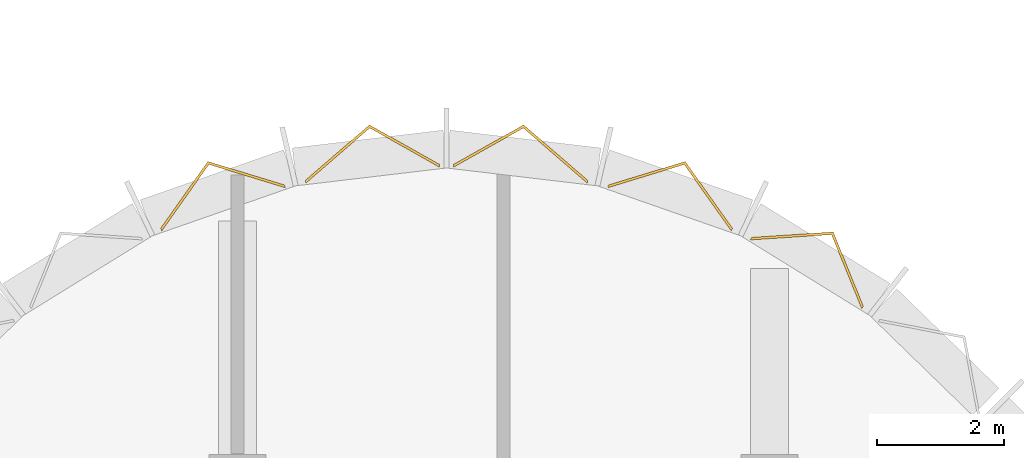
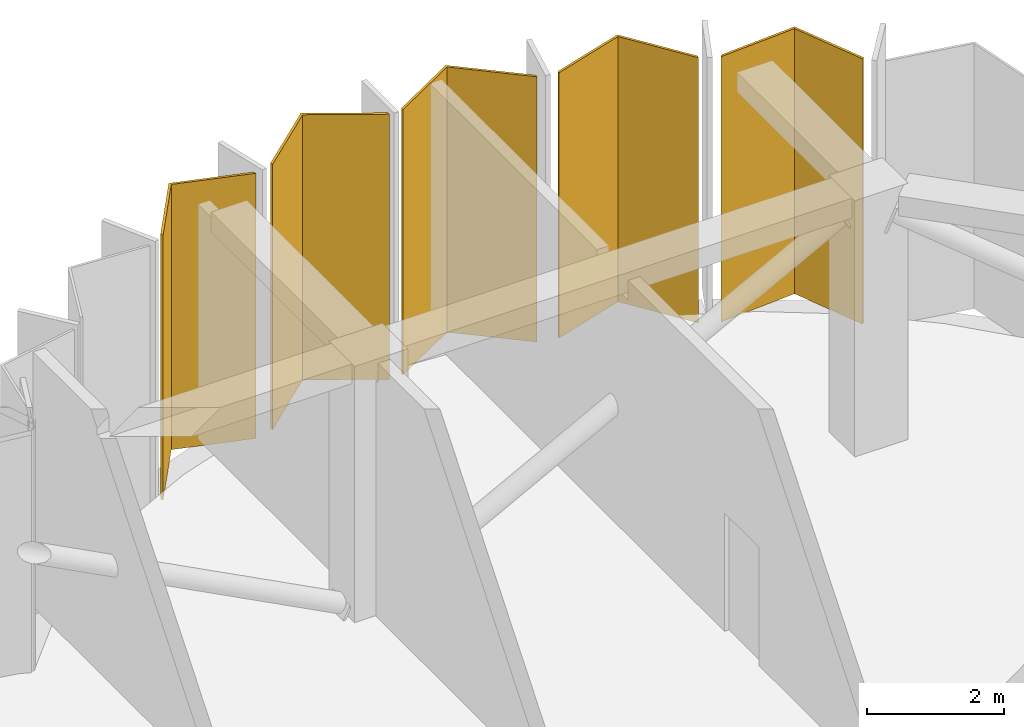
# One storey, part 13 of 13: 5 coverings, 1 element without a shape of its own.
"""IFC4 building model written with IfcOpenShell, lengths in metres."""

from ifc_helpers import new_model, si_unit, direction, frame, origin, place, context, subcontext, project, spatial, polyline, outline, extrude, material, layer, layer_set, type_object, element, aggregate, save


model = new_model("IFC4")

# Units and contexts
model_context = context("Model", 3, precision=1e-05, world=origin(), true_north=direction((0.0, 1.0)))
body_context = subcontext(model_context, "Body", "Model", "MODEL_VIEW")
ifc_project = project(units=[si_unit("LENGTHUNIT", "METRE"), si_unit("AREAUNIT", "SQUARE_METRE"), si_unit("VOLUMEUNIT", "CUBIC_METRE"), si_unit("PLANEANGLEUNIT", "RADIAN"), si_unit("MASSUNIT", "GRAM", prefix="KILO")], contexts=[model_context])

# Site, building, storey
site_placement = place(None, origin())
site = spatial("IfcSite", under=ifc_project, at=site_placement, CompositionType="ELEMENT")
building_placement = place(site_placement, origin())
building = spatial("IfcBuilding", under=site, at=building_placement, Name="Brevane Broadcast Tower", CompositionType="ELEMENT")
storey_placement = place(building_placement, frame((0.0, 0.0, 210.89990234375)))
storey = spatial("IfcBuildingStorey", under=building, at=storey_placement, Name="L53", CompositionType="ELEMENT", Elevation=210.89990234375)

# Curtain wall, coverings
ifc_material_1 = material(Name="Aluminium 6063-T6 bronze anodised", Category="aluminium")
curtain_wall_type = type_object("IfcCurtainWallType", Name="CW-3 curtain wall", PredefinedType="NOTDEFINED", material=ifc_material_1)
curtain_wall_placement = place(storey_placement, origin())
curtain_wall = element("IfcCurtainWall", 1, at=curtain_wall_placement, inside=storey, type_object=curtain_wall_type, Name="CW-3 refuge louvre unit L53 east bow", PredefinedType="NOTDEFINED")
ifc_material_2 = material(Name="Aluminium bronze anodised cladding", Category="aluminium")
ifc_layer = layer(ifc_material_2, 0.050048828125)
ifc_layer_set = layer_set([ifc_layer], Name="CW refuge spandrel 50")
covering_type = type_object("IfcCoveringType", Name="CW refuge spandrel 50", PredefinedType="CLADDING", material=ifc_layer_set)
covering_1_placement = place(storey_placement, frame((0.0, 0.0, -0.159912109375)))
covering_1 = element("IfcCovering", 2, at=covering_1_placement, type_object=covering_type, Name="Refuge cladding panel", PredefinedType="CLADDING", context=body_context, shape_type="SweptSolid", body=[
    extrude(outline(polyline([(43.452880859375, 27.87841796875), (43.481201171875, 27.914794921875), (43.00390625, 29.089111328125), (41.715087890625, 29.004150390625), (41.6953125, 28.962646484375), (42.977783203125, 29.04736328125), (43.452880859375, 27.87841796875)])), origin(), (0.0, 0.0, 1.0), 4.7099609375),
])
covering_2_placement = place(storey_placement, frame((0.0, 0.0, -0.159912109375)))
covering_2 = element("IfcCovering", 3, at=covering_2_placement, type_object=covering_type, Name="Refuge cladding panel", PredefinedType="CLADDING", context=body_context, shape_type="SweptSolid", body=[
    extrude(outline(polyline([(41.39453125, 29.10595703125), (41.414306640625, 29.147216796875), (40.667724609375, 30.20166015625), (39.455322265625, 29.831787109375), (39.445068359375, 29.786865234375), (40.65185546875, 30.155029296875), (41.39453125, 29.10595703125)])), origin(), (0.0, 0.0, 1.0), 4.7099609375),
])
covering_3_placement = place(storey_placement, frame((0.0, 0.0, -0.159912109375)))
covering_3 = element("IfcCovering", 4, at=covering_3_placement, type_object=covering_type, Name="Refuge cladding panel", PredefinedType="CLADDING", context=body_context, shape_type="SweptSolid", body=[
    extrude(outline(polyline([(39.1201171875, 29.860107421875), (39.13037109375, 29.904296875), (38.116943359375, 30.779296875), (37.012939453125, 30.158203125), (37.012939453125, 30.1123046875), (38.112060546875, 30.730712890625), (39.1201171875, 29.860107421875)])), origin(), (0.0, 0.0, 1.0), 4.7099609375),
])
covering_4_placement = place(storey_placement, frame((0.0, 0.0, -0.159912109375)))
covering_4 = element("IfcCovering", 5, at=covering_4_placement, type_object=covering_type, Name="Refuge cladding panel", PredefinedType="CLADDING", context=body_context, shape_type="SweptSolid", body=[
    extrude(outline(polyline([(36.787109375, 30.1123046875), (36.787109375, 30.158203125), (35.68310546875, 30.779296875), (34.669677734375, 29.904296875), (34.679931640625, 29.860107421875), (35.68798828125, 30.730712890625), (36.787109375, 30.1123046875)])), origin(), (0.0, 0.0, 1.0), 4.7099609375),
])
covering_5_placement = place(storey_placement, frame((0.0, 0.0, -0.159912109375)))
covering_5 = element("IfcCovering", 6, at=covering_5_placement, type_object=covering_type, Name="Refuge cladding panel", PredefinedType="CLADDING", context=body_context, shape_type="SweptSolid", body=[
    extrude(outline(polyline([(34.35498046875, 29.786865234375), (34.344482421875, 29.831787109375), (33.132080078125, 30.20166015625), (32.3857421875, 29.147216796875), (32.405517578125, 29.10595703125), (33.148193359375, 30.155029296875), (34.35498046875, 29.786865234375)])), origin(), (0.0, 0.0, 1.0), 4.7099609375),
])
aggregate(curtain_wall, [covering_1, covering_2, covering_3, covering_4, covering_5])

save(model, "model.ifc")
